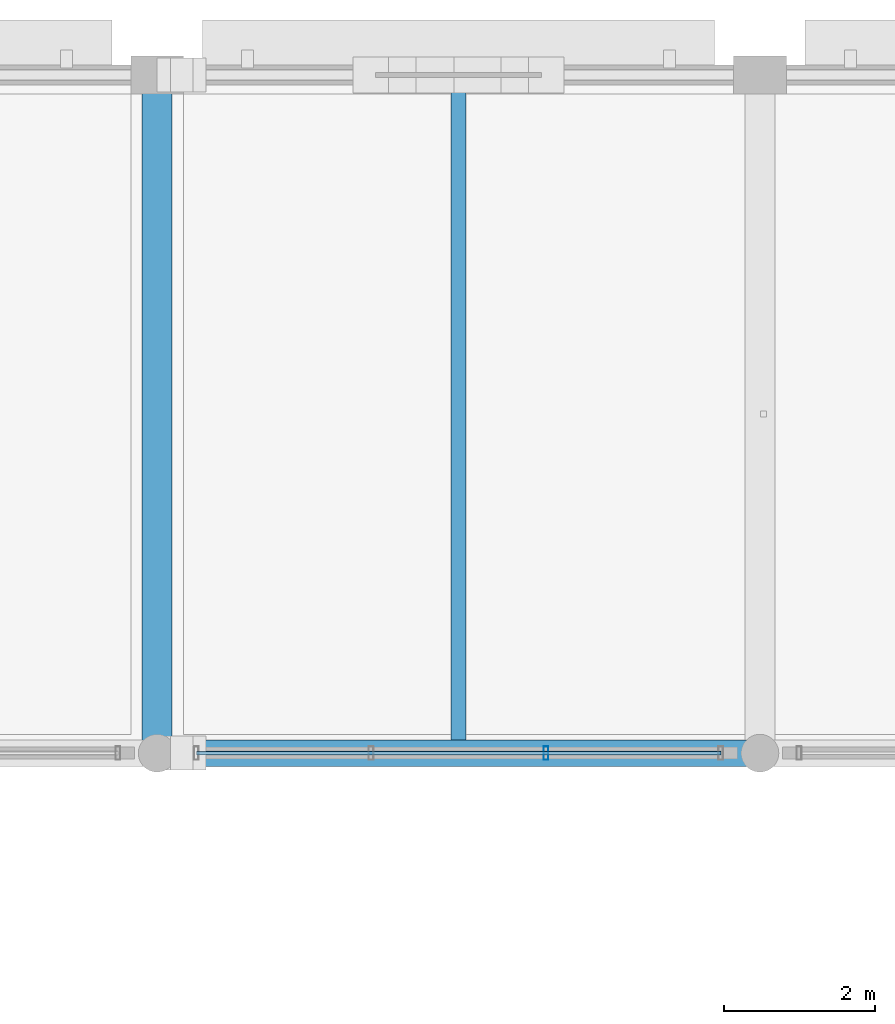
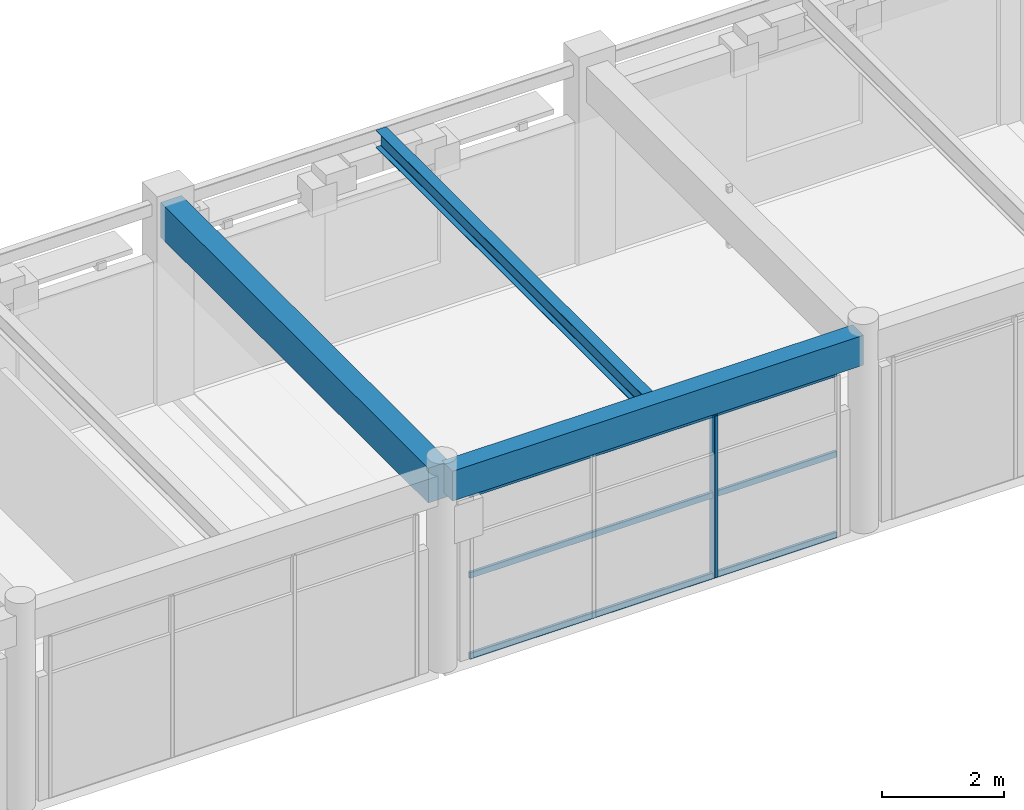
# One storey, part 58 of 126: 4 members, 3 beams, 1 element without a shape of its own.
"""IFC4 building model written with IfcOpenShell, lengths in metres."""

from ifc_helpers import new_model, si_unit, direction, frame, origin, origin_2d, place, context, subcontext, project, spatial, rectangle, hollow_rectangle, i_section, extrude, material, material_profile, profile_set, type_object, element, aggregate, save


model = new_model("IFC4")

# Units and contexts
model_context = context("Model", 3, precision=1e-05, world=origin(), true_north=direction((0.0, 1.0)))
body_context = subcontext(model_context, "Body", "Model", "MODEL_VIEW")
ifc_project = project(units=[si_unit("LENGTHUNIT", "METRE"), si_unit("AREAUNIT", "SQUARE_METRE"), si_unit("VOLUMEUNIT", "CUBIC_METRE"), si_unit("PLANEANGLEUNIT", "RADIAN"), si_unit("MASSUNIT", "GRAM", prefix="KILO")], contexts=[model_context])

# Site, building, storey
site_placement = place(None, origin())
site = spatial("IfcSite", under=ifc_project, at=site_placement, CompositionType="ELEMENT")
building_placement = place(site_placement, origin())
building = spatial("IfcBuilding", under=site, at=building_placement, Name="Varnabhumi Central Station", CompositionType="ELEMENT")
storey_placement = place(building_placement, frame((0.0, 0.0, 16.199951171875)))
storey = spatial("IfcBuildingStorey", under=building, at=storey_placement, Name="L03", CompositionType="ELEMENT", Elevation=16.199951171875)

# Beams
ifc_material_1 = material(Name="Concrete M40", Category="concrete")
ifc_material_profile_1 = material_profile(ifc_material_1, rectangle(XDim=0.35009765625, YDim=0.60009765625, at=origin_2d()), Name="Concrete M40", Category="concrete")
ifc_profile_set_1 = profile_set([ifc_material_profile_1], Name="Concrete M40")
beam_type_1 = type_object("IfcBeamType", Name="BM-RC-350x600", PredefinedType="BEAM", material=ifc_profile_set_1)
beam_1_placement = place(storey_placement, frame((64.10009765625, 107.0, 3.650146484375), z_axis=(1.0, 0.0, 0.0), x_axis=(0.0, 1.0, 0.0)))
element("IfcBeam", 1, at=beam_1_placement, inside=storey, type_object=beam_type_1, Name="Beam L03-N:9-10", PredefinedType="BEAM", context=body_context, shape_type="SweptSolid", body=[
    extrude(rectangle(XDim=0.35009765625, YDim=0.60009765625, at=origin_2d()), origin(), (0.0, 0.0, 1.0), 7.7998046875),
])
ifc_material_profile_2 = material_profile(ifc_material_1, rectangle(XDim=0.39990234375, YDim=0.699951171875, at=origin_2d()), Name="Concrete M40", Category="concrete")
ifc_profile_set_2 = profile_set([ifc_material_profile_2], Name="Concrete M40")
beam_type_2 = type_object("IfcBeamType", Name="BM-RC-700x400", PredefinedType="BEAM", material=ifc_profile_set_2)
beam_2_placement = place(storey_placement, frame((64.0, 107.10009765625, 3.60009765625), z_axis=(0.0, 1.0, 0.0), x_axis=(-1.0, 0.0, 0.0)))
element("IfcBeam", 2, at=beam_2_placement, inside=storey, type_object=beam_type_2, Name="Beam L03-9:N-P", PredefinedType="BEAM", context=body_context, shape_type="SweptSolid", body=[
    extrude(rectangle(XDim=0.39990234375, YDim=0.699951171875, at=origin_2d()), origin(), (0.0, 0.0, 1.0), 8.7998046875),
])
ifc_material_2 = material(Name="Structural steel E350", Category="steel")
ifc_material_profile_3 = material_profile(ifc_material_2, i_section(OverallWidth=0.199951171875, OverallDepth=0.35009765625, WebThickness=0.008056640625, FlangeThickness=0.011474609375, FilletRadius=0.011962890625, at=origin_2d()), Name="Structural steel E350", Category="steel")
ifc_profile_set_3 = profile_set([ifc_material_profile_3], Name="Structural steel E350")
beam_type_3 = type_object("IfcBeamType", Name="BM-STL-ISWB350", PredefinedType="JOIST", material=ifc_profile_set_3)
beam_3_placement = place(storey_placement, frame((68.0, 107.175048828125, 3.775146484375), z_axis=(0.0, 1.0, 0.0), x_axis=(-1.0, 0.0, 0.0)))
element("IfcBeam", 3, at=beam_3_placement, inside=storey, type_object=beam_type_3, Name="Secondary Joist L03-9/10:N-P", PredefinedType="JOIST", context=body_context, shape_type="SweptSolid", body=[
    extrude(i_section(OverallWidth=0.199951171875, OverallDepth=0.35009765625, WebThickness=0.008056640625, FlangeThickness=0.011474609375, FilletRadius=0.011962890625, at=origin_2d()), origin(), (0.0, 0.0, 1.0), 8.75),
])

# Curtain wall, members
ifc_material_3 = material(Name="Anodised aluminium 6063-T6", Category="aluminium")
curtain_wall_type = type_object("IfcCurtainWallType", Name="CW-PATIO-LOGGIA-L3", PredefinedType="NOTDEFINED", material=ifc_material_3)
curtain_wall_placement = place(storey_placement, origin())
curtain_wall = element("IfcCurtainWall", 4, at=curtain_wall_placement, inside=storey, type_object=curtain_wall_type, Name="Curtain Wall CW-NP3N3", PredefinedType="NOTDEFINED")
ifc_material_profile_4 = material_profile(ifc_material_3, hollow_rectangle(XDim=0.06494140625, YDim=0.179931640625, WallThickness=0.00390625, InnerFilletRadius=0.001953125, OuterFilletRadius=0.006103515625, at=origin_2d()), Name="Anodised aluminium 6063-T6", Category="aluminium")
ifc_profile_set_4 = profile_set([ifc_material_profile_4], Name="Anodised aluminium 6063-T6")
member_type_1 = type_object("IfcMemberType", Name="CW-MUL-180", PredefinedType="MULLION", material=ifc_profile_set_4)
member_1_placement = place(storey_placement, frame((69.159912109375, 107.0, 0.0), z_axis=(0.0, 0.0, 1.0), x_axis=(1.0, 0.0, 0.0)))
member_1 = element("IfcMember", 5, at=member_1_placement, type_object=member_type_1, Name="Curtain Wall Mullion CW-NP3N3-M3", PredefinedType="MULLION", context=body_context, shape_type="SweptSolid", body=[
    extrude(hollow_rectangle(XDim=0.06494140625, YDim=0.179931640625, WallThickness=0.00390625, InnerFilletRadius=0.001953125, OuterFilletRadius=0.006103515625, at=origin_2d()), origin(), (0.0, 0.0, 1.0), 3.239990234375),
])
ifc_material_profile_5 = material_profile(ifc_material_3, hollow_rectangle(XDim=0.054931640625, YDim=0.1201171875, WallThickness=0.00341796875, InnerFilletRadius=0.00146484375, OuterFilletRadius=0.0048828125, at=origin_2d()), Name="Anodised aluminium 6063-T6", Category="aluminium")
ifc_profile_set_5 = profile_set([ifc_material_profile_5], Name="Anodised aluminium 6063-T6")
member_type_2 = type_object("IfcMemberType", Name="CW-TR-120", PredefinedType="USERDEFINED", material=ifc_profile_set_5)
member_2_placement = place(storey_placement, frame((64.52001953125, 107.0, 0.0), z_axis=(1.0, 0.0, 0.0), x_axis=(0.0, 1.0, 0.0)))
member_2 = element("IfcMember", 6, at=member_2_placement, type_object=member_type_2, Name="Curtain Wall Transom CW-NP3N3-T1", ObjectType="TRANSOM", PredefinedType="USERDEFINED", context=body_context, shape_type="SweptSolid", body=[
    extrude(hollow_rectangle(XDim=0.054931640625, YDim=0.1201171875, WallThickness=0.00341796875, InnerFilletRadius=0.00146484375, OuterFilletRadius=0.0048828125, at=origin_2d()), origin(), (0.0, 0.0, 1.0), 6.9599609375),
])
member_3_placement = place(storey_placement, frame((64.52001953125, 107.0, 1.6201171875), z_axis=(1.0, 0.0, 0.0), x_axis=(0.0, 1.0, 0.0)))
member_3 = element("IfcMember", 7, at=member_3_placement, type_object=member_type_2, Name="Curtain Wall Transom CW-NP3N3-T2", ObjectType="TRANSOM", PredefinedType="USERDEFINED", context=body_context, shape_type="SweptSolid", body=[
    extrude(hollow_rectangle(XDim=0.054931640625, YDim=0.1201171875, WallThickness=0.00341796875, InnerFilletRadius=0.00146484375, OuterFilletRadius=0.0048828125, at=origin_2d()), origin(), (0.0, 0.0, 1.0), 6.9599609375),
])
member_4_placement = place(storey_placement, frame((64.52001953125, 107.0, 3.239990234375), z_axis=(1.0, 0.0, 0.0), x_axis=(0.0, 1.0, 0.0)))
member_4 = element("IfcMember", 8, at=member_4_placement, type_object=member_type_2, Name="Curtain Wall Transom CW-NP3N3-T3", ObjectType="TRANSOM", PredefinedType="USERDEFINED", context=body_context, shape_type="SweptSolid", body=[
    extrude(hollow_rectangle(XDim=0.054931640625, YDim=0.1201171875, WallThickness=0.00341796875, InnerFilletRadius=0.00146484375, OuterFilletRadius=0.0048828125, at=origin_2d()), origin(), (0.0, 0.0, 1.0), 6.9599609375),
])
aggregate(curtain_wall, [member_1, member_2, member_3, member_4])

save(model, "model.ifc")
